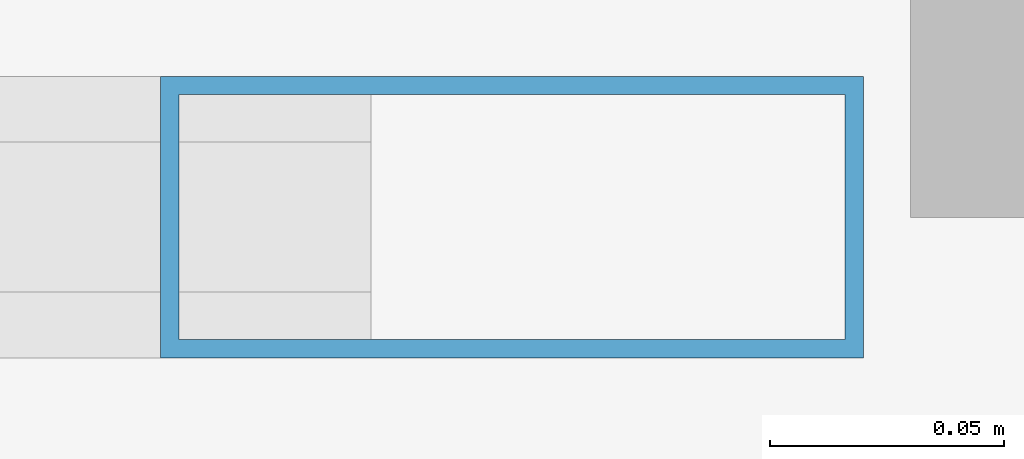
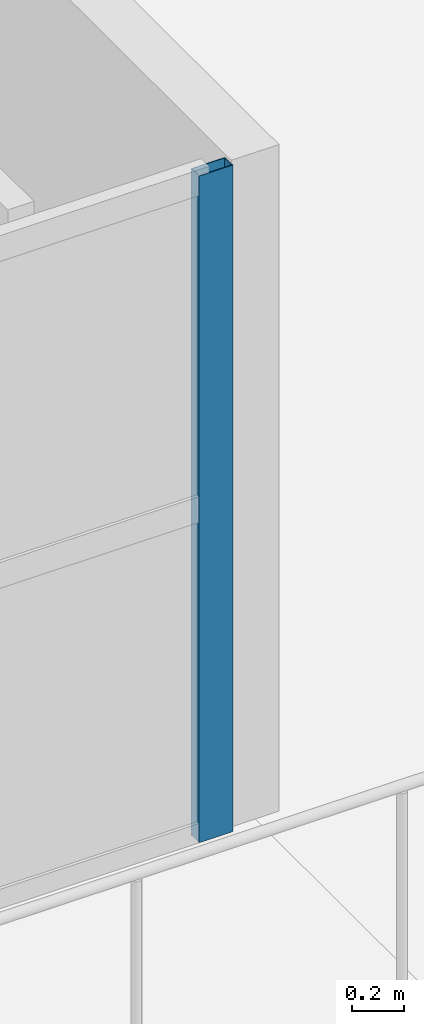
# One storey, part 7 of 15: 1 member, 1 element without a shape of its own.
"""IFC4 building model written with IfcOpenShell, lengths in metres."""

import ifcopenshell
import ifcopenshell.guid

model = None  # the IFC model being written
_history = None  # IfcOwnerHistory: only IFC2X3 demands one
_inside = {}  # id of a spatial element -> (the spatial element, [elements in it])
_under = {}  # id of a project, library or spatial element -> (it, [spatial elements below it])
_declared = {}  # id of a project -> (the project, [libraries it declares])
_typed = {}  # id of a type object -> (the type object, [elements of that type])
_made_of = {}  # id of a material, layer set ... -> (it, [elements and type objects made of it])


def new_model(schema):
    """Start an empty IFC model of exactly this schema.

    Asked for "IFC4X3", IfcOpenShell would pick the latest addendum, in which some entities
    have other attributes; the version numbers below select the first issue.
    IFC2X3 requires an IfcOwnerHistory on every rooted entity: one is made here for all.
    """
    global model, _history
    if schema == "IFC4X3":
        model = ifcopenshell.file(schema_version=(4, 3, 0, 0))
    else:
        model = ifcopenshell.file(schema=schema)
    _inside.clear()
    _under.clear()
    _declared.clear()
    _typed.clear()
    _made_of.clear()
    _history = None
    if model.schema == "IFC2X3":
        org = make("IfcOrganization", Name="unknown")
        user = make(
            "IfcPersonAndOrganization",
            ThePerson=make("IfcPerson", FamilyName="unknown"),
            TheOrganization=org,
        )
        app = make(
            "IfcApplication",
            ApplicationDeveloper=org,
            Version="unknown",
            ApplicationFullName="unknown",
            ApplicationIdentifier="unknown",
        )
        _history = make(
            "IfcOwnerHistory",
            OwningUser=user,
            OwningApplication=app,
            ChangeAction="ADDED",
            CreationDate=0,
        )
    return model


def make(cls, **values):
    """One entity of the class cls with the attributes given. An attribute that is None is left unset."""
    return model.create_entity(
        cls, **{name: value for name, value in values.items() if value is not None}
    )


def rooted(cls, **values):
    """An entity with a GlobalId (a new one), such as an element, a storey or a relation."""
    return make(cls, GlobalId=ifcopenshell.guid.new(), OwnerHistory=_history, **values)


def si_unit(unit_type, name, prefix=None):
    """IfcSIUnit, for example si_unit("LENGTHUNIT", "METRE", prefix="MILLI")."""
    return make("IfcSIUnit", UnitType=unit_type, Prefix=prefix, Name=name)


def assignment(units):
    """IfcUnitAssignment: the units of a project."""
    return None if units is None else make("IfcUnitAssignment", Units=units)


def point(xyz):
    """IfcCartesianPoint."""
    return None if xyz is None else make("IfcCartesianPoint", Coordinates=xyz)


def direction(xyz):
    """IfcDirection."""
    return None if xyz is None else make("IfcDirection", DirectionRatios=xyz)


def frame(location, z_axis=None, x_axis=None):
    """IfcAxis2Placement3D, a coordinate frame: its origin and axes. An axis left out is left unset."""
    return make(
        "IfcAxis2Placement3D",
        Location=point(location),
        Axis=direction(z_axis),
        RefDirection=direction(x_axis),
    )


def frame_2d(location, x_axis=None):
    """IfcAxis2Placement2D, a coordinate frame in the plane: its origin and x axis."""
    return make(
        "IfcAxis2Placement2D", Location=point(location), RefDirection=direction(x_axis)
    )


def origin():
    """The frame at (0, 0, 0) with its axes left unset."""
    return frame((0.0, 0.0, 0.0))


def origin_2d():
    """The frame at (0, 0) in the plane with its x axis left unset."""
    return frame_2d((0.0, 0.0))


def place(relative_to, where):
    """IfcLocalPlacement: puts the frame where relative to a parent placement (None: the world)."""
    return make(
        "IfcLocalPlacement", PlacementRelTo=relative_to, RelativePlacement=where
    )


def context(
    kind, dimensions, precision=None, world=None, true_north=None, identifier=None
):
    """IfcGeometricRepresentationContext, for example the 3D "Model" context."""
    return make(
        "IfcGeometricRepresentationContext",
        ContextIdentifier=identifier,
        ContextType=kind,
        CoordinateSpaceDimension=dimensions,
        Precision=precision,
        WorldCoordinateSystem=world,
        TrueNorth=true_north,
    )


def subcontext(parent, identifier, kind, view, scale=None):
    """IfcGeometricRepresentationSubContext, for example "Body" below "Model"."""
    return make(
        "IfcGeometricRepresentationSubContext",
        ContextIdentifier=identifier,
        ContextType=kind,
        ParentContext=parent,
        TargetScale=scale,
        TargetView=view,
    )


def project(units=None, contexts=None):
    """IfcProject with its units and contexts."""
    return rooted(
        "IfcProject",
        Name="project",
        RepresentationContexts=contexts,
        UnitsInContext=assignment(units),
    )


def spatial(cls, under=None, at=None, **own):
    """A site, building, storey or space (cls), placed at a placement, below another one or the project."""
    s = rooted(cls, ObjectPlacement=at, **own)
    if under is not None:
        _under.setdefault(under.id(), (under, []))[1].append(s)
    return s


def profile(cls, at=None, kind="AREA", **sizes):
    """A parametric profile (cls). Its sizes go by their IFC names, for example OverallWidth=200.0."""
    return make(cls, ProfileType=kind, Position=at, **sizes)


def hollow_rectangle(**sizes):
    """IfcRectangleHollowProfileDef."""
    return profile("IfcRectangleHollowProfileDef", **sizes)


def extrude(swept, where, along, depth):
    """IfcExtrudedAreaSolid: the profile swept, set in the frame where, extruded along a direction by depth."""
    return make(
        "IfcExtrudedAreaSolid",
        SweptArea=swept,
        Position=where,
        ExtrudedDirection=direction(along),
        Depth=depth,
    )


def shape(context_of_items, identifier, shape_type, items):
    """IfcShapeRepresentation: the items that make up one representation, for example the "Body"."""
    return make(
        "IfcShapeRepresentation",
        ContextOfItems=context_of_items,
        RepresentationIdentifier=identifier,
        RepresentationType=shape_type,
        Items=items,
    )


def material(Name=None, Category=None):
    """IfcMaterial."""
    return make("IfcMaterial", Name=Name, Category=Category)


def layer(
    of_material, thickness, ventilated=None, Name=None, Category=None, Priority=None
):
    """IfcMaterialLayer: one layer of a wall or slab, of a material (None: an air gap)."""
    return make(
        "IfcMaterialLayer",
        Material=of_material,
        LayerThickness=thickness,
        IsVentilated=ventilated,
        Name=Name,
        Category=Category,
        Priority=Priority,
    )


def layer_set(layers, Name=None):
    """IfcMaterialLayerSet."""
    return make("IfcMaterialLayerSet", MaterialLayers=layers, LayerSetName=Name)


def material_profile(
    of_material, cross_section, Name=None, Category=None, Priority=None
):
    """IfcMaterialProfile: a cross section and its material."""
    return make(
        "IfcMaterialProfile",
        Name=Name,
        Material=of_material,
        Profile=cross_section,
        Priority=Priority,
        Category=Category,
    )


def profile_set(profiles, Name=None, composite=None):
    """IfcMaterialProfileSet."""
    return make(
        "IfcMaterialProfileSet",
        Name=Name,
        MaterialProfiles=profiles,
        CompositeProfile=composite,
    )


def made_of(thing, what):
    """Note that an element or type object is made of a material, layer set ...; save() writes the relation."""
    if what is not None:
        _made_of.setdefault(what.id(), (what, []))[1].append(thing)
    return thing


def type_object(cls, material=None, **own):
    """A type object (cls), such as IfcWallType, which elements share."""
    return made_of(rooted(cls, **own), material)


def element(
    cls,
    number,
    at=None,
    inside=None,
    cuts=None,
    type_object=None,
    material=None,
    context=None,
    identifier="Body",
    shape_type=None,
    held_by="IfcProductDefinitionShape",
    body=None,
    shapes=None,
    **own,
):
    """One element of the class cls, such as IfcWall. Its Tag is "e" and its number.

    at: its placement. inside: the storey or other place that contains it. cuts: it is an
    opening in that element (IfcRelVoidsElement). A single representation is given by context,
    identifier, shape_type and body (its items); several are given by shapes. held_by: the class
    of the entity that holds the representations. save() writes the other relations.
    """
    e = rooted(cls, Tag="e%d" % number, ObjectPlacement=at, **own)
    if body is not None:
        shapes = [shape(context, identifier, shape_type, body)]
    if shapes is not None:
        e.Representation = make(held_by, Representations=shapes)
    if inside is not None:
        _inside.setdefault(inside.id(), (inside, []))[1].append(e)
    if cuts is not None:
        rooted(
            "IfcRelVoidsElement", RelatingBuildingElement=cuts, RelatedOpeningElement=e
        )
    if type_object is not None:
        _typed.setdefault(type_object.id(), (type_object, []))[1].append(e)
    return made_of(e, material)


def aggregate(whole, parts):
    """IfcRelAggregates: a whole, such as a stair, and the parts it consists of."""
    return rooted("IfcRelAggregates", RelatingObject=whole, RelatedObjects=parts)


def save(model, path):
    """Write the relations noted so far, then the file.

    IfcRelAggregates (storeys below a building ...), IfcRelContainedInSpatialStructure (elements
    in a storey), IfcRelDefinesByType, IfcRelAssociatesMaterial and IfcRelDeclares: one each for
    every whole, place, type object, material and project.
    """
    for whole, parts in _under.values():
        aggregate(whole, parts)
    for where, things in _inside.values():
        rooted(
            "IfcRelContainedInSpatialStructure",
            RelatedElements=things,
            RelatingStructure=where,
        )
    for kind, things in _typed.values():
        rooted("IfcRelDefinesByType", RelatedObjects=things, RelatingType=kind)
    for what, things in _made_of.values():
        rooted("IfcRelAssociatesMaterial", RelatedObjects=things, RelatingMaterial=what)
    for by, libraries in _declared.values():
        rooted("IfcRelDeclares", RelatingContext=by, RelatedDefinitions=libraries)
    model.write(path)


model = new_model("IFC4")

# Units and contexts
model_context = context("Model", 3, precision=1e-05, world=origin(), true_north=direction((0.0, 1.0)))
body_context = subcontext(model_context, "Body", "Model", "MODEL_VIEW")
ifc_project = project(units=[si_unit("LENGTHUNIT", "METRE"), si_unit("AREAUNIT", "SQUARE_METRE"), si_unit("VOLUMEUNIT", "CUBIC_METRE"), si_unit("PLANEANGLEUNIT", "RADIAN"), si_unit("MASSUNIT", "GRAM", prefix="KILO")], contexts=[model_context])

# Site, building, storey
site_placement = place(None, origin())
site = spatial("IfcSite", under=ifc_project, at=site_placement, CompositionType="ELEMENT")
building_placement = place(site_placement, origin())
building = spatial("IfcBuilding", under=site, at=building_placement, Name="Zizhar Promenade General Hospital", CompositionType="ELEMENT")
storey_placement = place(building_placement, frame((0.0, 0.0, 43.199951171875)))
storey = spatial("IfcBuildingStorey", under=building, at=storey_placement, Name="Roof", CompositionType="ELEMENT", Elevation=43.199951171875)

# Curtain wall, member
ifc_material_1 = material(Name="Anodised aluminium 6063-T6 and low-E glass", Category="aluminium")
ifc_layer = layer(ifc_material_1, 0.159912109375)
ifc_layer_set = layer_set([ifc_layer], Name="Anodised aluminium 6063-T6 and low-E glass")
curtain_wall_type = type_object("IfcCurtainWallType", Name="CW-WARD-ARC", PredefinedType="NOTDEFINED", material=ifc_layer_set)
curtain_wall_placement = place(storey_placement, origin())
curtain_wall = element("IfcCurtainWall", 1, at=curtain_wall_placement, inside=storey, type_object=curtain_wall_type, Name="Rooftop Pillow Crown Glazing 11", PredefinedType="NOTDEFINED")
ifc_material_2 = material(Name="Anodised aluminium 6063-T6", Category="aluminium")
ifc_material_profile = material_profile(ifc_material_2, hollow_rectangle(XDim=0.06005859375, YDim=0.14990234375, WallThickness=0.00390625, at=origin_2d()))
ifc_profile_set = profile_set([ifc_material_profile], Name="Anodised aluminium 6063-T6")
member_type = type_object("IfcMemberType", Name="CWM-ALU-150x60", PredefinedType="MULLION", material=ifc_profile_set)
member_placement = place(storey_placement, frame((70.610107421875, 2.0, 0.0), z_axis=(0.0, 0.0, 1.0), x_axis=(0.0, -1.0, 0.0)))
member = element("IfcMember", 2, at=member_placement, type_object=member_type, Name="CW-12 mullion 1", PredefinedType="MULLION", context=body_context, shape_type="SweptSolid", body=[
    extrude(hollow_rectangle(XDim=0.06005859375, YDim=0.14990234375, WallThickness=0.00390625, at=origin_2d()), origin(), (0.0, 0.0, 1.0), 3.10009765625),
])
aggregate(curtain_wall, [member])

save(model, "model.ifc")
